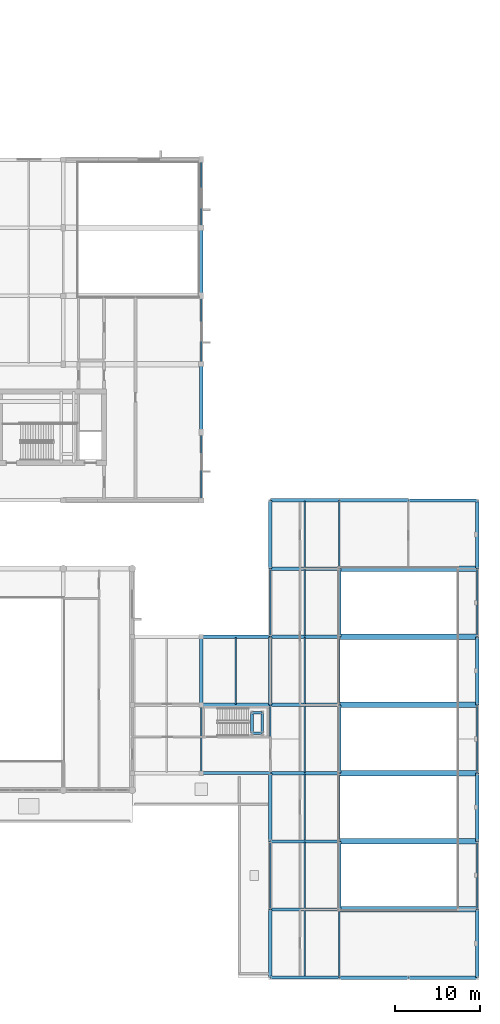
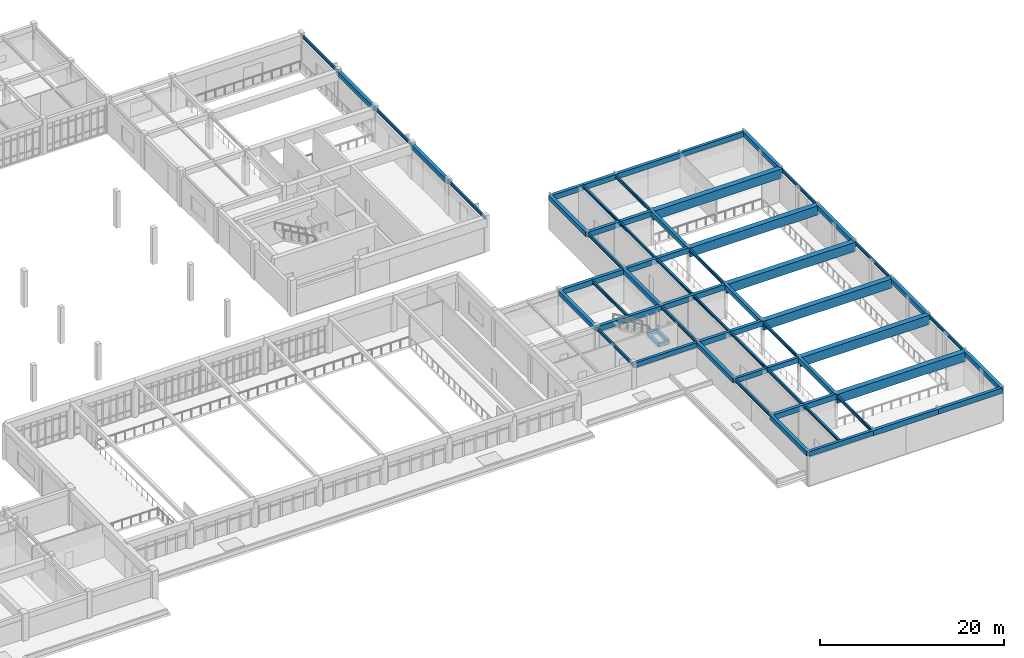
# One storey, part 18 of 61: 61 beams.
"""IFC4 building model written with IfcOpenShell, lengths in metres."""

from ifc_helpers import new_model, si_unit, direction, frame, origin, origin_2d, place, context, subcontext, project, spatial, rectangle, i_section, extrude, material, material_profile, profile_set, type_object, element, save


model = new_model("IFC4")

# Units and contexts
model_context = context("Model", 3, precision=1e-05, world=origin(), true_north=direction((0.0, 1.0)))
body_context = subcontext(model_context, "Body", "Model", "MODEL_VIEW")
ifc_project = project(units=[si_unit("LENGTHUNIT", "METRE"), si_unit("AREAUNIT", "SQUARE_METRE"), si_unit("VOLUMEUNIT", "CUBIC_METRE"), si_unit("PLANEANGLEUNIT", "RADIAN"), si_unit("MASSUNIT", "GRAM", prefix="KILO")], contexts=[model_context])

# Site, building, storey
site_placement = place(None, origin())
site = spatial("IfcSite", under=ifc_project, at=site_placement, CompositionType="ELEMENT")
building_placement = place(site_placement, origin())
building = spatial("IfcBuilding", under=site, at=building_placement, Name="Tarnveldt Square Police Headquarters", CompositionType="ELEMENT")
storey_placement = place(building_placement, frame((0.0, 0.0, 5.39990234375)))
storey = spatial("IfcBuildingStorey", under=building, at=storey_placement, Name="L01", CompositionType="ELEMENT", Elevation=5.39990234375)

# Beams
ifc_material_1 = material(Name="Concrete 40 MPa", Category="concrete")
ifc_material_profile_1 = material_profile(ifc_material_1, rectangle(XDim=0.300048828125, YDim=0.5, at=origin_2d()), Name="RC-B300x500")
ifc_profile_set_1 = profile_set([ifc_material_profile_1], Name="Concrete 40 MPa")
beam_type_1 = type_object("IfcBeamType", Name="BM-RC300x500", PredefinedType="BEAM", material=ifc_profile_set_1)
for number, where, z_axis, x_axis, name in (
    (1, (135.550048828125, 28.679931640625, 1.97021484375), (0.0, 1.0, 0.0), (-1.0, 0.0, 0.0), "ST7 L01 Half-Landing West Support Beam"),
    (2, (136.75, 28.679931640625, 1.97021484375), (0.0, 1.0, 0.0), (-1.0, 0.0, 0.0), "ST7 L01 Half-Landing East Support Beam"),
):
    element("IfcBeam", number, at=place(storey_placement, frame(where, z_axis=z_axis, x_axis=x_axis)), inside=storey, type_object=beam_type_1, Name=name, PredefinedType="BEAM", context=body_context, shape_type="SweptSolid", body=[
        extrude(rectangle(XDim=0.300048828125, YDim=0.5, at=origin_2d()), origin(), (0.0, 0.0, 1.0), 2.420166015625),
    ])
for number, where, z_axis, x_axis, name in (
    (3, (135.550048828125, 28.679931640625, 1.97021484375), (1.0, 0.0, 0.0), (0.0, 1.0, 0.0), "ST7 L01 Half-Landing South Support Beam"),
    (4, (135.550048828125, 31.10009765625, 1.97021484375), (1.0, 0.0, 0.0), (0.0, 1.0, 0.0), "ST7 L01 Half-Landing North Support Beam"),
):
    element("IfcBeam", number, at=place(storey_placement, frame(where, z_axis=z_axis, x_axis=x_axis)), inside=storey, type_object=beam_type_1, Name=name, PredefinedType="BEAM", context=body_context, shape_type="SweptSolid", body=[
        extrude(rectangle(XDim=0.300048828125, YDim=0.5, at=origin_2d()), origin(), (0.0, 0.0, 1.0), 1.199951171875),
    ])
ifc_material_profile_2 = material_profile(ifc_material_1, rectangle(XDim=0.39990234375, YDim=0.60009765625, at=origin_2d()), Name="RC-B400x600")
ifc_profile_set_2 = profile_set([ifc_material_profile_2], Name="Concrete 40 MPa")
beam_type_2 = type_object("IfcBeamType", Name="BM-RC400x600", PredefinedType="BEAM", material=ifc_profile_set_2)
for number, where, z_axis, x_axis, name in (
    (5, (129.60009765625, 32.0, 4.22021484375), (0.0, 1.0, 0.0), (-1.0, 0.0, 0.0), "L02 Grid Girder Y-0649"),
    (6, (129.60009765625, 64.0, 4.22021484375), (0.0, 1.0, 0.0), (-1.0, 0.0, 0.0), "L02 Grid Girder Y-0651"),
    (7, (129.60009765625, 80.0, 4.22021484375), (0.0, 1.0, 0.0), (-1.0, 0.0, 0.0), "L02 Grid Girder Y-0653"),
    (8, (137.699951171875, 0.0, 4.22021484375), (0.0, 1.0, 0.0), (-1.0, 0.0, 0.0), "L02 Grid Girder Y-0655"),
    (9, (137.699951171875, 16.0, 4.22021484375), (0.0, 1.0, 0.0), (-1.0, 0.0, 0.0), "L02 Grid Girder Y-0657"),
    (10, (137.699951171875, 32.0, 4.22021484375), (0.0, 1.0, 0.0), (-1.0, 0.0, 0.0), "L02 Grid Girder Y-0659"),
    (11, (137.699951171875, 48.0, 4.22021484375), (0.0, 1.0, 0.0), (-1.0, 0.0, 0.0), "L02 Grid Girder Y-0661"),
    (12, (145.800048828125, 8.0, 4.22021484375), (0.0, 1.0, 0.0), (-1.0, 0.0, 0.0), "L02 Grid Girder Y-0663"),
    (13, (145.800048828125, 24.0, 4.22021484375), (0.0, 1.0, 0.0), (-1.0, 0.0, 0.0), "L02 Grid Girder Y-0665"),
    (14, (145.800048828125, 40.0, 4.22021484375), (0.0, 1.0, 0.0), (-1.0, 0.0, 0.0), "L02 Grid Girder Y-0667"),
    (15, (162.0, 0.0, 4.22021484375), (0.0, 1.0, 0.0), (-1.0, 0.0, 0.0), "L02 Grid Girder Y-0669"),
    (16, (162.0, 16.0, 4.22021484375), (0.0, 1.0, 0.0), (-1.0, 0.0, 0.0), "L02 Grid Girder Y-0671"),
    (17, (162.0, 32.0, 4.22021484375), (0.0, 1.0, 0.0), (-1.0, 0.0, 0.0), "L02 Grid Girder Y-0673"),
    (18, (162.0, 48.0, 4.22021484375), (0.0, 1.0, 0.0), (-1.0, 0.0, 0.0), "L02 Grid Girder Y-0675"),
):
    element("IfcBeam", number, at=place(storey_placement, frame(where, z_axis=z_axis, x_axis=x_axis)), inside=storey, type_object=beam_type_2, Name=name, PredefinedType="BEAM", context=body_context, shape_type="SweptSolid", body=[
        extrude(rectangle(XDim=0.39990234375, YDim=0.60009765625, at=origin_2d()), origin(), (0.0, 0.0, 1.0), 8.0),
    ])
ifc_material_profile_3 = material_profile(ifc_material_1, rectangle(XDim=0.39990234375, YDim=0.699951171875, at=origin_2d()), Name="RC-B400x700")
ifc_profile_set_3 = profile_set([ifc_material_profile_3], Name="Concrete 40 MPa")
beam_type_3 = type_object("IfcBeamType", Name="BM-RC400x700", PredefinedType="BEAM", material=ifc_profile_set_3)
beam_1_placement = place(storey_placement, frame((145.800048828125, 0.0, 4.170166015625), z_axis=(1.0, 0.0, 0.0), x_axis=(0.0, 1.0, 0.0)))
element("IfcBeam", 19, at=beam_1_placement, inside=storey, type_object=beam_type_3, Name="L02 Grid Girder X-0458", PredefinedType="BEAM", context=body_context, shape_type="SweptSolid", body=[
    extrude(rectangle(XDim=0.39990234375, YDim=0.699951171875, at=origin_2d()), origin(), (0.0, 0.0, 1.0), 8.099853515625),
])
for number, where, z_axis, x_axis, name in (
    (20, (153.89990234375, 0.0, 4.170166015625), (1.0, 0.0, 0.0), (0.0, 1.0, 0.0), "L02 Grid Girder X-0459"),
    (21, (137.699951171875, 8.0, 4.170166015625), (1.0, 0.0, 0.0), (0.0, 1.0, 0.0), "L02 Grid Girder X-0462"),
    (22, (137.699951171875, 24.0, 4.170166015625), (1.0, 0.0, 0.0), (0.0, 1.0, 0.0), "L02 Grid Girder X-0479"),
):
    element("IfcBeam", number, at=place(storey_placement, frame(where, z_axis=z_axis, x_axis=x_axis)), inside=storey, type_object=beam_type_3, Name=name, PredefinedType="BEAM", context=body_context, shape_type="SweptSolid", body=[
        extrude(rectangle(XDim=0.39990234375, YDim=0.699951171875, at=origin_2d()), origin(), (0.0, 0.0, 1.0), 8.10009765625),
    ])
beam_2_placement = place(storey_placement, frame((129.60009765625, 32.0, 4.170166015625), z_axis=(1.0, 0.0, 0.0), x_axis=(0.0, 1.0, 0.0)))
element("IfcBeam", 23, at=beam_2_placement, inside=storey, type_object=beam_type_3, Name="L02 Grid Girder X-0485", PredefinedType="BEAM", context=body_context, shape_type="SweptSolid", body=[
    extrude(rectangle(XDim=0.39990234375, YDim=0.699951171875, at=origin_2d()), origin(), (0.0, 0.0, 1.0), 8.099853515625),
])
beam_3_placement = place(storey_placement, frame((137.699951171875, 32.0, 4.170166015625), z_axis=(1.0, 0.0, 0.0), x_axis=(0.0, 1.0, 0.0)))
element("IfcBeam", 24, at=beam_3_placement, inside=storey, type_object=beam_type_3, Name="L02 Grid Girder X-0486", PredefinedType="BEAM", context=body_context, shape_type="SweptSolid", body=[
    extrude(rectangle(XDim=0.39990234375, YDim=0.699951171875, at=origin_2d()), origin(), (0.0, 0.0, 1.0), 8.10009765625),
])
beam_4_placement = place(storey_placement, frame((129.60009765625, 40.0, 4.170166015625), z_axis=(1.0, 0.0, 0.0), x_axis=(0.0, 1.0, 0.0)))
element("IfcBeam", 25, at=beam_4_placement, inside=storey, type_object=beam_type_3, Name="L02 Grid Girder X-0500", PredefinedType="BEAM", context=body_context, shape_type="SweptSolid", body=[
    extrude(rectangle(XDim=0.39990234375, YDim=0.699951171875, at=origin_2d()), origin(), (0.0, 0.0, 1.0), 8.099853515625),
])
for number, where, z_axis, x_axis, name in (
    (26, (137.699951171875, 40.0, 4.170166015625), (1.0, 0.0, 0.0), (0.0, 1.0, 0.0), "L02 Grid Girder X-0501"),
    (27, (137.699951171875, 48.0, 4.170166015625), (1.0, 0.0, 0.0), (0.0, 1.0, 0.0), "L02 Grid Girder X-0507"),
    (28, (137.699951171875, 56.0, 4.170166015625), (1.0, 0.0, 0.0), (0.0, 1.0, 0.0), "L02 Grid Girder X-0515"),
):
    element("IfcBeam", number, at=place(storey_placement, frame(where, z_axis=z_axis, x_axis=x_axis)), inside=storey, type_object=beam_type_3, Name=name, PredefinedType="BEAM", context=body_context, shape_type="SweptSolid", body=[
        extrude(rectangle(XDim=0.39990234375, YDim=0.699951171875, at=origin_2d()), origin(), (0.0, 0.0, 1.0), 8.10009765625),
    ])
beam_5_placement = place(storey_placement, frame((145.800048828125, 56.0, 4.170166015625), z_axis=(1.0, 0.0, 0.0), x_axis=(0.0, 1.0, 0.0)))
element("IfcBeam", 29, at=beam_5_placement, inside=storey, type_object=beam_type_3, Name="L02 Grid Girder X-0516", PredefinedType="BEAM", context=body_context, shape_type="SweptSolid", body=[
    extrude(rectangle(XDim=0.39990234375, YDim=0.699951171875, at=origin_2d()), origin(), (0.0, 0.0, 1.0), 8.099853515625),
])
ifc_material_2 = material(Name="Concrete 50 MPa", Category="concrete")
ifc_material_profile_4 = material_profile(ifc_material_2, rectangle(XDim=0.64990234375, YDim=1.199951171875, at=origin_2d()), Name="RC-B650x1200")
ifc_profile_set_4 = profile_set([ifc_material_profile_4], Name="Concrete 50 MPa")
beam_type_4 = type_object("IfcBeamType", Name="BM-RC650x1200", PredefinedType="BEAM", material=ifc_profile_set_4)
for number, where, z_axis, x_axis, name in (
    (30, (145.800048828125, 8.0, 3.920166015625), (1.0, 0.0, 0.0), (0.0, 1.0, 0.0), "L02 Grid Girder X-0463"),
    (31, (145.800048828125, 16.0, 3.920166015625), (1.0, 0.0, 0.0), (0.0, 1.0, 0.0), "L02 Grid Girder X-0473"),
    (32, (145.800048828125, 24.0, 3.920166015625), (1.0, 0.0, 0.0), (0.0, 1.0, 0.0), "L02 Grid Girder X-0480"),
    (33, (145.800048828125, 32.0, 3.920166015625), (1.0, 0.0, 0.0), (0.0, 1.0, 0.0), "L02 Grid Girder X-0487"),
    (34, (145.800048828125, 40.0, 3.920166015625), (1.0, 0.0, 0.0), (0.0, 1.0, 0.0), "L02 Grid Girder X-0502"),
    (35, (145.800048828125, 48.0, 3.920166015625), (1.0, 0.0, 0.0), (0.0, 1.0, 0.0), "L02 Grid Girder X-0508"),
):
    element("IfcBeam", number, at=place(storey_placement, frame(where, z_axis=z_axis, x_axis=x_axis)), inside=storey, type_object=beam_type_4, Name=name, PredefinedType="BEAM", context=body_context, shape_type="SweptSolid", body=[
        extrude(rectangle(XDim=0.64990234375, YDim=1.199951171875, at=origin_2d()), origin(), (0.0, 0.0, 1.0), 16.199951171875),
    ])
ifc_material_profile_5 = material_profile(ifc_material_1, rectangle(XDim=0.35009765625, YDim=0.64990234375, at=origin_2d()), Name="RC-SP350x650")
ifc_profile_set_5 = profile_set([ifc_material_profile_5], Name="Concrete 40 MPa")
beam_type_5 = type_object("IfcBeamType", Name="BM-SP350x650", PredefinedType="SPANDREL", material=ifc_profile_set_5)
for number, where, z_axis, x_axis, name in (
    (36, (137.699951171875, 0.0, 4.195068359375), (1.0, 0.0, 0.0), (0.0, 1.0, 0.0), "L02 Grid Girder X-0457"),
    (37, (137.699951171875, 16.0, 4.195068359375), (1.0, 0.0, 0.0), (0.0, 1.0, 0.0), "L02 Grid Girder X-0472"),
):
    element("IfcBeam", number, at=place(storey_placement, frame(where, z_axis=z_axis, x_axis=x_axis)), inside=storey, type_object=beam_type_5, Name=name, PredefinedType="SPANDREL", context=body_context, shape_type="SweptSolid", body=[
        extrude(rectangle(XDim=0.35009765625, YDim=0.64990234375, at=origin_2d()), origin(), (0.0, 0.0, 1.0), 8.10009765625),
    ])
beam_6_placement = place(storey_placement, frame((129.60009765625, 24.0, 4.195068359375), z_axis=(1.0, 0.0, 0.0), x_axis=(0.0, 1.0, 0.0)))
element("IfcBeam", 38, at=beam_6_placement, inside=storey, type_object=beam_type_5, Name="L02 Grid Girder X-0478", PredefinedType="SPANDREL", context=body_context, shape_type="SweptSolid", body=[
    extrude(rectangle(XDim=0.35009765625, YDim=0.64990234375, at=origin_2d()), origin(), (0.0, 0.0, 1.0), 8.099853515625),
])
beam_7_placement = place(storey_placement, frame((153.89990234375, 56.0, 4.195068359375), z_axis=(1.0, 0.0, 0.0), x_axis=(0.0, 1.0, 0.0)))
element("IfcBeam", 39, at=beam_7_placement, inside=storey, type_object=beam_type_5, Name="L02 Grid Girder X-0517", PredefinedType="SPANDREL", context=body_context, shape_type="SweptSolid", body=[
    extrude(rectangle(XDim=0.35009765625, YDim=0.64990234375, at=origin_2d()), origin(), (0.0, 0.0, 1.0), 8.10009765625),
])
ifc_material_3 = material(Name="Steel 350W", Category="steel")
ifc_material_profile_6 = material_profile(ifc_material_3, i_section(OverallWidth=0.202880859375, OverallDepth=0.346923828125, WebThickness=0.0078125, FlangeThickness=0.013427734375, FilletRadius=0.01611328125, at=origin_2d()), Name="W360x64")
ifc_profile_set_6 = profile_set([ifc_material_profile_6], Name="Steel 350W")
beam_type_6 = type_object("IfcBeamType", Name="BM-W360x64", PredefinedType="JOIST", material=ifc_profile_set_6)
for number, where, z_axis, x_axis, name in (
    (40, (141.75, 16.080078125, 4.3466796875), (0.0, 1.0, 0.0), (-1.0, 0.0, 0.0), "L02 Secondary Floor Joist 0103"),
    (41, (141.75, 40.080078125, 4.3466796875), (0.0, 1.0, 0.0), (-1.0, 0.0, 0.0), "L02 Secondary Floor Joist 0115"),
    (42, (141.75, 48.080078125, 4.3466796875), (0.0, 1.0, 0.0), (-1.0, 0.0, 0.0), "L02 Secondary Floor Joist 0119"),
):
    element("IfcBeam", number, at=place(storey_placement, frame(where, z_axis=z_axis, x_axis=x_axis)), inside=storey, type_object=beam_type_6, Name=name, PredefinedType="JOIST", context=body_context, shape_type="SweptSolid", body=[
        extrude(i_section(OverallWidth=0.202880859375, OverallDepth=0.346923828125, WebThickness=0.0078125, FlangeThickness=0.013427734375, FilletRadius=0.01611328125, at=origin_2d()), origin(), (0.0, 0.0, 1.0), 7.83984375),
    ])
ifc_material_profile_7 = material_profile(ifc_material_3, i_section(OverallWidth=0.205078125, OverallDepth=0.35400390625, WebThickness=0.009521484375, FlangeThickness=0.016845703125, FilletRadius=0.01611328125, at=origin_2d()), Name="W360x79")
ifc_profile_set_7 = profile_set([ifc_material_profile_7], Name="Steel 350W")
beam_type_7 = type_object("IfcBeamType", Name="BM-W360x79", PredefinedType="JOIST", material=ifc_profile_set_7)
for number, where, z_axis, x_axis, name in (
    (43, (141.75, 0.080078125, 4.343017578125), (0.0, 1.0, 0.0), (-1.0, 0.0, 0.0), "L02 Secondary Floor Joist 0098"),
    (44, (141.75, 24.080078125, 4.343017578125), (0.0, 1.0, 0.0), (-1.0, 0.0, 0.0), "L02 Secondary Floor Joist 0106"),
    (45, (141.75, 32.080078125, 4.343017578125), (0.0, 1.0, 0.0), (-1.0, 0.0, 0.0), "L02 Secondary Floor Joist 0110"),
):
    element("IfcBeam", number, at=place(storey_placement, frame(where, z_axis=z_axis, x_axis=x_axis)), inside=storey, type_object=beam_type_7, Name=name, PredefinedType="JOIST", context=body_context, shape_type="SweptSolid", body=[
        extrude(i_section(OverallWidth=0.205078125, OverallDepth=0.35400390625, WebThickness=0.009521484375, FlangeThickness=0.016845703125, FilletRadius=0.01611328125, at=origin_2d()), origin(), (0.0, 0.0, 1.0), 7.83984375),
    ])
ifc_material_profile_8 = material_profile(ifc_material_3, i_section(OverallWidth=0.177978515625, OverallDepth=0.406982421875, WebThickness=0.0078125, FlangeThickness=0.0126953125, FilletRadius=0.01611328125, at=origin_2d()), Name="W410x60")
ifc_profile_set_8 = profile_set([ifc_material_profile_8], Name="Steel 350W")
beam_type_8 = type_object("IfcBeamType", Name="BM-W410x60", PredefinedType="JOIST", material=ifc_profile_set_8)
for number, where, z_axis, x_axis, name in (
    (46, (141.75, 8.080078125, 4.316650390625), (0.0, 1.0, 0.0), (-1.0, 0.0, 0.0), "L02 Secondary Floor Joist 0101"),
    (47, (133.64990234375, 32.080078125, 4.316650390625), (0.0, 1.0, 0.0), (-1.0, 0.0, 0.0), "L02 Secondary Floor Joist 0109"),
):
    element("IfcBeam", number, at=place(storey_placement, frame(where, z_axis=z_axis, x_axis=x_axis)), inside=storey, type_object=beam_type_8, Name=name, PredefinedType="JOIST", context=body_context, shape_type="SweptSolid", body=[
        extrude(i_section(OverallWidth=0.177978515625, OverallDepth=0.406982421875, WebThickness=0.0078125, FlangeThickness=0.0126953125, FilletRadius=0.01611328125, at=origin_2d()), origin(), (0.0, 0.0, 1.0), 7.83984375),
    ])
ifc_material_profile_9 = material_profile(ifc_material_3, i_section(OverallWidth=0.180908203125, OverallDepth=0.4169921875, WebThickness=0.010986328125, FlangeThickness=0.018310546875, FilletRadius=0.01611328125, at=origin_2d()), Name="W410x85")
ifc_profile_set_9 = profile_set([ifc_material_profile_9], Name="Steel 350W")
beam_type_9 = type_object("IfcBeamType", Name="BM-W410x85", PredefinedType="BEAM", material=ifc_profile_set_9)
for number, where, z_axis, x_axis, name in (
    (48, (129.60009765625, 24.0, 4.3115234375), (0.0, 1.0, 0.0), (-1.0, 0.0, 0.0), "L02 Grid Girder Y-0648"),
    (49, (129.60009765625, 56.0, 4.3115234375), (0.0, 1.0, 0.0), (-1.0, 0.0, 0.0), "L02 Grid Girder Y-0650"),
    (50, (129.60009765625, 72.0, 4.3115234375), (0.0, 1.0, 0.0), (-1.0, 0.0, 0.0), "L02 Grid Girder Y-0652"),
    (51, (129.60009765625, 88.0, 4.3115234375), (0.0, 1.0, 0.0), (-1.0, 0.0, 0.0), "L02 Grid Girder Y-0654"),
    (52, (137.699951171875, 8.0, 4.3115234375), (0.0, 1.0, 0.0), (-1.0, 0.0, 0.0), "L02 Grid Girder Y-0656"),
    (53, (137.699951171875, 24.0, 4.3115234375), (0.0, 1.0, 0.0), (-1.0, 0.0, 0.0), "L02 Grid Girder Y-0658"),
    (54, (137.699951171875, 40.0, 4.3115234375), (0.0, 1.0, 0.0), (-1.0, 0.0, 0.0), "L02 Grid Girder Y-0660"),
    (55, (145.800048828125, 0.0, 4.3115234375), (0.0, 1.0, 0.0), (-1.0, 0.0, 0.0), "L02 Grid Girder Y-0662"),
    (56, (145.800048828125, 16.0, 4.3115234375), (0.0, 1.0, 0.0), (-1.0, 0.0, 0.0), "L02 Grid Girder Y-0664"),
    (57, (145.800048828125, 32.0, 4.3115234375), (0.0, 1.0, 0.0), (-1.0, 0.0, 0.0), "L02 Grid Girder Y-0666"),
    (58, (145.800048828125, 48.0, 4.3115234375), (0.0, 1.0, 0.0), (-1.0, 0.0, 0.0), "L02 Grid Girder Y-0668"),
    (59, (162.0, 8.0, 4.3115234375), (0.0, 1.0, 0.0), (-1.0, 0.0, 0.0), "L02 Grid Girder Y-0670"),
    (60, (162.0, 24.0, 4.3115234375), (0.0, 1.0, 0.0), (-1.0, 0.0, 0.0), "L02 Grid Girder Y-0672"),
    (61, (162.0, 40.0, 4.3115234375), (0.0, 1.0, 0.0), (-1.0, 0.0, 0.0), "L02 Grid Girder Y-0674"),
):
    element("IfcBeam", number, at=place(storey_placement, frame(where, z_axis=z_axis, x_axis=x_axis)), inside=storey, type_object=beam_type_9, Name=name, PredefinedType="BEAM", context=body_context, shape_type="SweptSolid", body=[
        extrude(i_section(OverallWidth=0.180908203125, OverallDepth=0.4169921875, WebThickness=0.010986328125, FlangeThickness=0.018310546875, FilletRadius=0.01611328125, at=origin_2d()), origin(), (0.0, 0.0, 1.0), 8.0),
    ])

save(model, "model.ifc")
